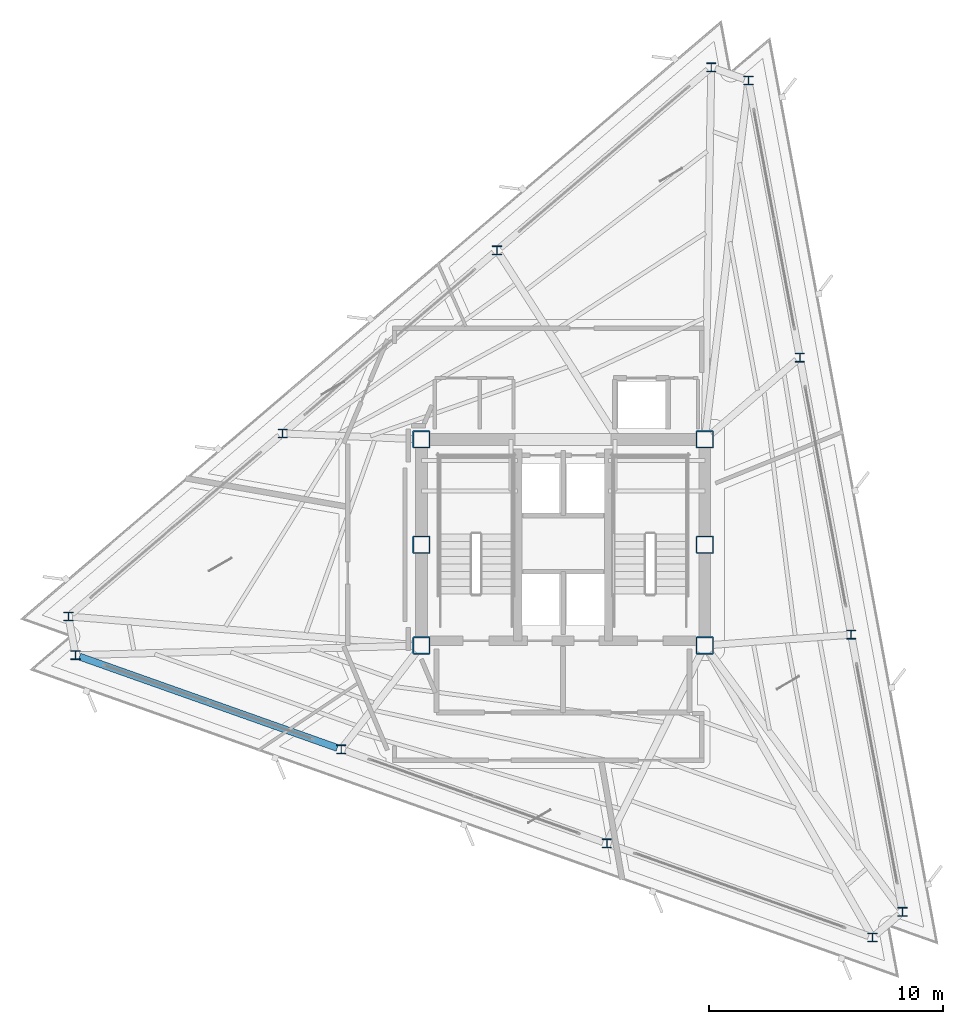
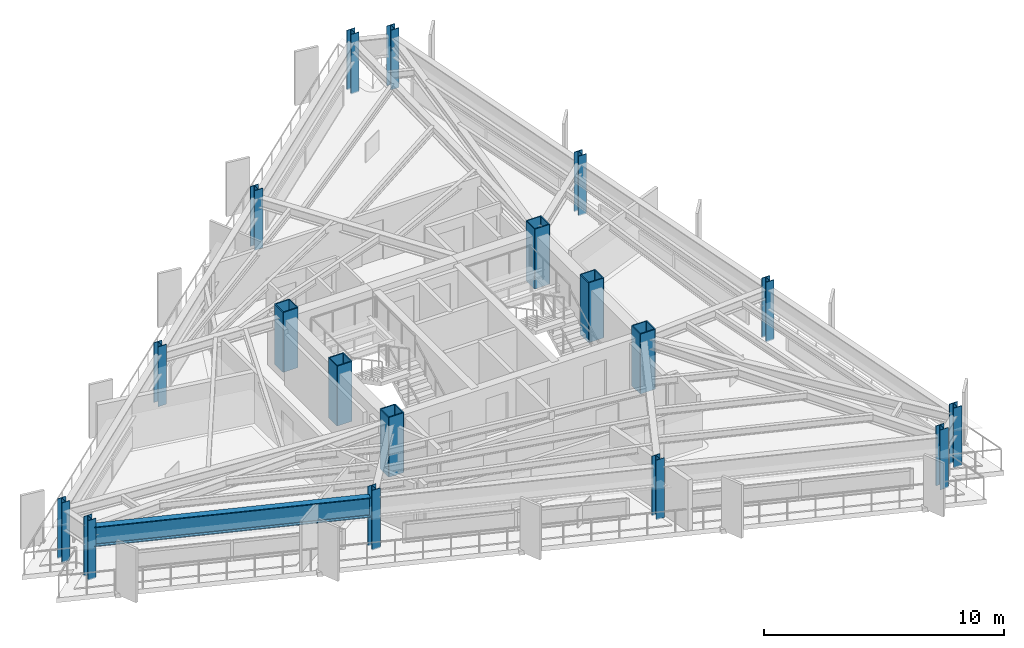
# One storey, part 1 of 14: 18 columns, 1 beam.
"""IFC4 building model written with IfcOpenShell, lengths in metres."""

from ifc_helpers import new_model, si_unit, direction, frame, origin, origin_2d, place, context, subcontext, project, spatial, hollow_rectangle, i_section, extrude, material, material_profile, profile_set, type_object, element, save


model = new_model("IFC4")

# Units and contexts
model_context = context("Model", 3, precision=1e-05, world=origin(), true_north=direction((0.0, 1.0)))
body_context = subcontext(model_context, "Body", "Model", "MODEL_VIEW")
ifc_project = project(units=[si_unit("LENGTHUNIT", "METRE"), si_unit("AREAUNIT", "SQUARE_METRE"), si_unit("VOLUMEUNIT", "CUBIC_METRE"), si_unit("PLANEANGLEUNIT", "RADIAN"), si_unit("MASSUNIT", "GRAM", prefix="KILO")], contexts=[model_context])

# Site, building, storey
site_placement = place(None, origin())
site = spatial("IfcSite", under=ifc_project, at=site_placement, CompositionType="ELEMENT")
building_placement = place(site_placement, origin())
building = spatial("IfcBuilding", under=site, at=building_placement, Name="Rocaltana Carrier Exchange", CompositionType="ELEMENT")
storey_placement = place(building_placement, frame((0.0, 0.0, 190.56005859375)))
storey = spatial("IfcBuildingStorey", under=building, at=storey_placement, Name="L60", CompositionType="ELEMENT", Elevation=190.56005859375)

# Columns
ifc_material_1 = material(Name="Steel S460", Category="steel")
ifc_material_profile_1 = material_profile(ifc_material_1, hollow_rectangle(XDim=0.75, YDim=0.75, WallThickness=0.050048828125, InnerFilletRadius=0.02001953125, OuterFilletRadius=0.0400390625, at=origin_2d()), Name="BOX750X750X50")
ifc_profile_set_1 = profile_set([ifc_material_profile_1], Name="Steel S460")
column_type_1 = type_object("IfcColumnType", Name="Core Mega-Column BOX750", PredefinedType="COLUMN", material=ifc_profile_set_1)
for number, where, z_axis, x_axis, name in (
    (1, (-6.050048828125, 4.5, 0.0), (0.0, 0.0, 1.0), (1.0, 0.0, 0.0), "L60 Core Mega-Column MC1"),
    (2, (6.050048828125, 4.5, 0.0), (0.0, 0.0, 1.0), (1.0, 0.0, 0.0), "L60 Core Mega-Column MC2"),
    (3, (-6.050048828125, 0.0, 0.0), (0.0, 0.0, 1.0), (1.0, 0.0, 0.0), "L60 Core Mega-Column MC3"),
    (4, (6.050048828125, 0.0, 0.0), (0.0, 0.0, 1.0), (1.0, 0.0, 0.0), "L60 Core Mega-Column MC4"),
    (5, (-6.050048828125, -4.300048828125, 0.0), (0.0, 0.0, 1.0), (1.0, 0.0, 0.0), "L60 Core Mega-Column MC5"),
    (6, (6.050048828125, -4.300048828125, 0.0), (0.0, 0.0, 1.0), (1.0, 0.0, 0.0), "L60 Core Mega-Column MC6"),
):
    element("IfcColumn", number, at=place(storey_placement, frame(where, z_axis=z_axis, x_axis=x_axis)), inside=storey, type_object=column_type_1, Name=name, PredefinedType="COLUMN", context=body_context, shape_type="SweptSolid", body=[
        extrude(hollow_rectangle(XDim=0.75, YDim=0.75, WallThickness=0.050048828125, InnerFilletRadius=0.02001953125, OuterFilletRadius=0.0400390625, at=origin_2d()), origin(), (0.0, 0.0, 1.0), 3.0400390625),
    ])
ifc_material_2 = material(Name="Steel S355", Category="steel")
ifc_material_profile_2 = material_profile(ifc_material_2, i_section(OverallWidth=0.39404296875, OverallDepth=0.375, WebThickness=0.017333984375, FlangeThickness=0.027587890625, FilletRadius=0.01611328125, at=origin_2d()), Name="W14X145")
ifc_profile_set_2 = profile_set([ifc_material_profile_2], Name="Steel S355")
column_type_2 = type_object("IfcColumnType", Name="Perimeter Column W14X145", PredefinedType="COLUMN", material=ifc_profile_set_2)
for number, where, z_axis, x_axis, name in (
    (7, (14.492431640625, -15.67138671875, 0.0), (0.0, 0.0, 1.0), (1.0, 0.0, 0.0), "L60 Perimeter Column TC01"),
    (8, (12.299560546875, -3.839599609375, 0.0), (0.0, 0.0, 1.0), (1.0, 0.0, 0.0), "L60 Perimeter Column TC02"),
    (9, (10.106689453125, 7.9921875, 0.0), (0.0, 0.0, 1.0), (1.0, 0.0, 0.0), "L60 Perimeter Column TC03"),
    (10, (7.913818359375, 19.82421875, 0.0), (0.0, 0.0, 1.0), (1.0, 0.0, 0.0), "L60 Perimeter Column TC04"),
    (11, (6.325439453125, 20.38671875, 0.0), (0.0, 0.0, 1.0), (1.0, 0.0, 0.0), "L60 Perimeter Column TC05"),
    (12, (-2.82470703125, 12.571533203125, 0.0), (0.0, 0.0, 1.0), (1.0, 0.0, 0.0), "L60 Perimeter Column TC06"),
    (13, (-11.974853515625, 4.756591796875, 0.0), (0.0, 0.0, 1.0), (1.0, 0.0, 0.0), "L60 Perimeter Column TC07"),
    (14, (-21.125, -3.05859375, 0.0), (0.0, 0.0, 1.0), (1.0, 0.0, 0.0), "L60 Perimeter Column TC08"),
    (15, (-20.818115234375, -4.715087890625, 0.0), (0.0, 0.0, 1.0), (1.0, 0.0, 0.0), "L60 Perimeter Column TC09"),
    (16, (-9.474853515625, -8.73193359375, 0.0), (0.0, 0.0, 1.0), (1.0, 0.0, 0.0), "L60 Perimeter Column TC10"),
    (17, (1.8681640625, -12.748779296875, 0.0), (0.0, 0.0, 1.0), (1.0, 0.0, 0.0), "L60 Perimeter Column TC11"),
    (18, (13.211181640625, -16.765625, 0.0), (0.0, 0.0, 1.0), (1.0, 0.0, 0.0), "L60 Perimeter Column TC12"),
):
    element("IfcColumn", number, at=place(storey_placement, frame(where, z_axis=z_axis, x_axis=x_axis)), inside=storey, type_object=column_type_2, Name=name, PredefinedType="COLUMN", context=body_context, shape_type="SweptSolid", body=[
        extrude(i_section(OverallWidth=0.39404296875, OverallDepth=0.375, WebThickness=0.017333984375, FlangeThickness=0.027587890625, FilletRadius=0.01611328125, at=origin_2d()), origin(), (0.0, 0.0, 1.0), 3.0400390625),
    ])

# Beam
ifc_material_3 = material(Name="Steel S460", Category="steel")
ifc_material_profile_3 = material_profile(ifc_material_3, i_section(OverallWidth=0.302001953125, OverallDepth=1.008056640625, WebThickness=0.02099609375, FlangeThickness=0.0400390625, FilletRadius=0.030029296875, at=origin_2d()), Name="HEM1000")
ifc_profile_set_3 = profile_set([ifc_material_profile_3], Name="Steel S460")
beam_type = type_object("IfcBeamType", Name="Transfer Ring Girder HEM1000", PredefinedType="USERDEFINED", material=ifc_profile_set_3)
beam_placement = place(storey_placement, frame((-20.64892578125, -4.775146484375, 2.114013671875), z_axis=(0.94264312809, -0.333802236458, 0.0), x_axis=(0.333802236458, 0.94264312809, 0.0)))
element("IfcBeam", 19, at=beam_placement, inside=storey, type_object=beam_type, Name="SP-L60-09", ObjectType="TRANSFER GIRDER", PredefinedType="USERDEFINED", context=body_context, shape_type="SweptSolid", body=[
    extrude(i_section(OverallWidth=0.302001953125, OverallDepth=1.008056640625, WebThickness=0.02099609375, FlangeThickness=0.0400390625, FilletRadius=0.030029296875, at=origin_2d()), origin(), (0.0, 0.0, 1.0), 11.674560546875),
])

save(model, "model.ifc")
